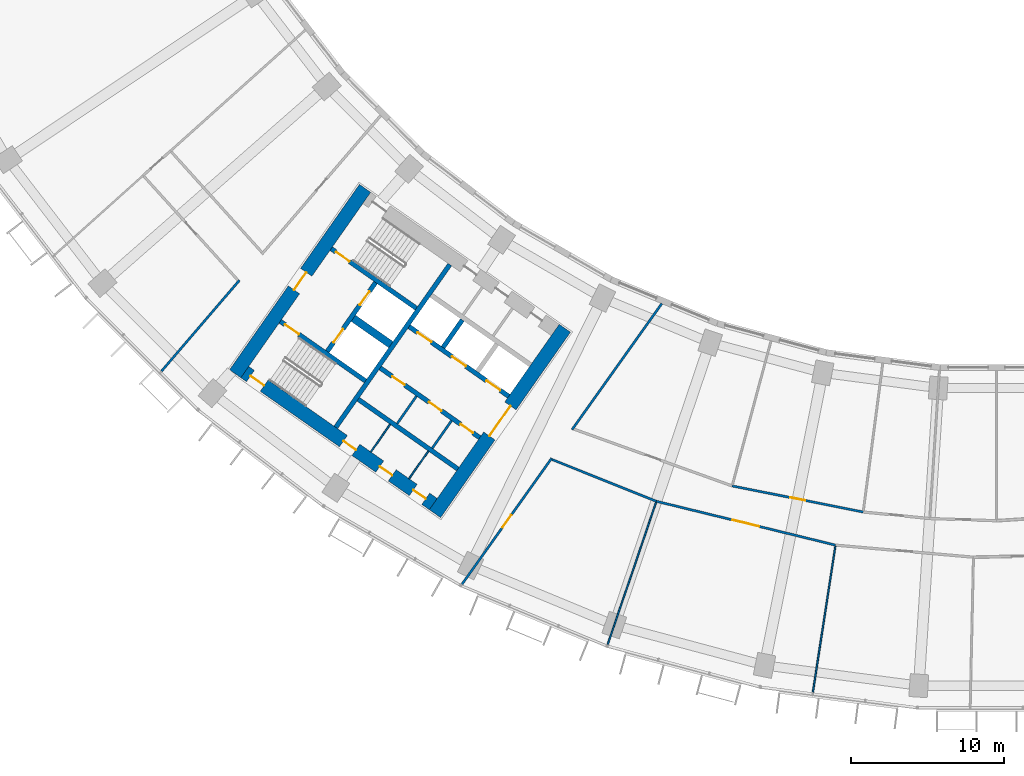
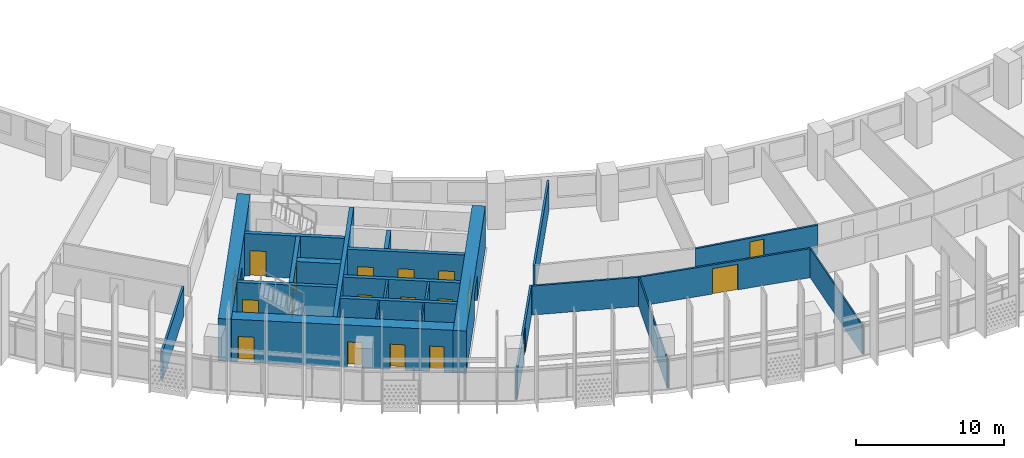
# One storey, part 3 of 30: 24 walls, 19 doors, 19 openings.
"""IFC4 building model written with IfcOpenShell, lengths in metres."""

from ifc_helpers import new_model, si_unit, direction, frame, frame_2d, origin, place, context, subcontext, project, spatial, rectangle, extrude, material, layer, layer_set, type_object, element, fill, save


model = new_model("IFC4")

# Units and contexts
model_context = context("Model", 3, precision=1e-05, world=origin(), true_north=direction((0.0, 1.0)))
body_context = subcontext(model_context, "Body", "Model", "MODEL_VIEW")
ifc_project = project(units=[si_unit("LENGTHUNIT", "METRE"), si_unit("AREAUNIT", "SQUARE_METRE"), si_unit("VOLUMEUNIT", "CUBIC_METRE"), si_unit("PLANEANGLEUNIT", "RADIAN"), si_unit("MASSUNIT", "GRAM", prefix="KILO")], contexts=[model_context])

# Site, building, storey
site_placement = place(None, origin())
site = spatial("IfcSite", under=ifc_project, at=site_placement, CompositionType="ELEMENT")
building_placement = place(site_placement, origin())
building = spatial("IfcBuilding", under=site, at=building_placement, Name="Qamariyya Broadcast Tower", CompositionType="ELEMENT")
storey_placement = place(building_placement, frame((0.0, 0.0, 125.300048828125)))
storey = spatial("IfcBuildingStorey", under=building, at=storey_placement, Name="L28", CompositionType="ELEMENT", Elevation=125.300048828125)

# Wall, opening, door
ifc_material_1 = material(Name="Concrete C70/85", Category="concrete")
ifc_layer_1 = layer(ifc_material_1, 0.89990234375)
ifc_layer_set_1 = layer_set([ifc_layer_1], Name="Core wall 900 mm Concrete C70/85")
wall_type_1 = type_object("IfcWallType", Name="Core wall 900 mm Concrete C70/85", PredefinedType="SHEAR", material=ifc_layer_set_1)
wall_1_placement = place(storey_placement, frame((-36.716796875, -66.3369140625, 0.0), z_axis=(0.0, 0.0, 1.0), x_axis=(0.573577477574, 0.819151315216, 0.0)))
wall_1 = element("IfcWall", 1, at=wall_1_placement, inside=storey, type_object=wall_type_1, Name="k-W-L28-WA", PredefinedType="SHEAR", context=body_context, shape_type="SweptSolid", body=[
    extrude(rectangle(XDim=14.800048828125, YDim=0.89990234375, at=frame_2d((7.39990234375, 0.0))), origin(), (0.0, 0.0, 1.0), 3.5),
])
opening_1_placement = place(wall_1_placement, frame((6.199951171875, 0.0, 0.0)))
opening_1 = element("IfcOpeningElement", 2, at=opening_1_placement, cuts=wall_1, Name="Opening KD3-W1", PredefinedType="OPENING", context=body_context, shape_type="SweptSolid", body=[
    extrude(rectangle(XDim=2.39990234375, YDim=2.10009765625, at=frame_2d((1.199951171875, 1.050048828125))), frame((0.0, 0.4599609375, 0.0), z_axis=(0.0, -1.0, 0.0), x_axis=(1.0, 0.0, 0.0)), (0.0, 0.0, 1.0), 0.919921875),
])
ifc_material_2 = material(Name="Steel fire-resisting door leaf", Category="steel")
door_type_1 = type_object("IfcDoorType", Name="Lift lobby door KD3", OperationType="DOUBLE_DOOR_SINGLE_SWING", PredefinedType="DOOR", material=ifc_material_2)
door_1_placement = place(opening_1_placement, origin())
door_1 = element("IfcDoor", 3, at=door_1_placement, inside=storey, type_object=door_type_1, Name="k-W-L28-WA-D1", OperationType="DOUBLE_DOOR_SINGLE_SWING", OverallHeight=2.10009765625, OverallWidth=2.39990234375, PredefinedType="DOOR", context=body_context, shape_type="SweptSolid", body=[
    extrude(rectangle(XDim=2.39990234375, YDim=2.10009765625, at=frame_2d((1.199951171875, 1.050048828125))), frame((0.0, 0.02490234375, 0.0), z_axis=(0.0, -1.0, 0.0), x_axis=(1.0, 0.0, 0.0)), (0.0, 0.0, 1.0), 0.050048828125),
])
fill(opening_1, door_1)

wall_2_placement = place(storey_placement, frame((-49.778564453125, -57.191162109375, 0.0), z_axis=(0.0, 0.0, 1.0), x_axis=(0.573577477574, 0.819151315216, 0.0)))
wall_2 = element("IfcWall", 4, at=wall_2_placement, inside=storey, type_object=wall_type_1, Name="k-W-L28-WH", PredefinedType="SHEAR", context=body_context, shape_type="SweptSolid", body=[
    extrude(rectangle(XDim=14.800048828125, YDim=0.89990234375, at=frame_2d((7.39990234375, 0.0))), origin(), (0.0, 0.0, 1.0), 3.5),
])
opening_2_placement = place(wall_2_placement, frame((6.699951171875, 0.0, 0.0)))
opening_2 = element("IfcOpeningElement", 5, at=opening_2_placement, cuts=wall_2, Name="Opening KD2-W1", PredefinedType="OPENING", context=body_context, shape_type="SweptSolid", body=[
    extrude(rectangle(XDim=1.39990234375, YDim=2.10009765625, at=frame_2d((0.699951171875, 1.050048828125))), frame((0.0, 0.4599609375, 0.0), z_axis=(0.0, -1.0, 0.0), x_axis=(1.0, 0.0, 0.0)), (0.0, 0.0, 1.0), 0.919921875),
])
door_type_2 = type_object("IfcDoorType", Name="Fire-fighting lobby door KD2", OperationType="DOUBLE_DOOR_SINGLE_SWING", PredefinedType="DOOR", material=ifc_material_2)
door_2_placement = place(opening_2_placement, origin())
door_2 = element("IfcDoor", 6, at=door_2_placement, inside=storey, type_object=door_type_2, Name="k-W-L28-WH-D16", OperationType="DOUBLE_DOOR_SINGLE_SWING", OverallHeight=2.10009765625, OverallWidth=1.39990234375, PredefinedType="DOOR", context=body_context, shape_type="SweptSolid", body=[
    extrude(rectangle(XDim=1.39990234375, YDim=2.10009765625, at=frame_2d((0.699951171875, 1.050048828125))), frame((0.0, 0.02490234375, 0.0), z_axis=(0.0, -1.0, 0.0), x_axis=(1.0, 0.0, 0.0)), (0.0, 0.0, 1.0), 0.050048828125),
])
fill(opening_2, door_2)

# Wall, openings, doors
wall_3_placement = place(storey_placement, frame((-36.827392578125, -65.710205078125, 0.0), z_axis=(0.0, 0.0, 1.0), x_axis=(-0.819153391756, 0.573574511963, 0.0)))
wall_3 = element("IfcWall", 7, at=wall_3_placement, inside=storey, type_object=wall_type_1, Name="k-W-L28-WO", PredefinedType="SHEAR", context=body_context, shape_type="SweptSolid", body=[
    extrude(rectangle(XDim=15.04541015625, YDim=0.89990234375, at=frame_2d((7.522705078125, 0.0))), origin(), (0.0, 0.0, 1.0), 3.5),
])
opening_3_placement = place(wall_3_placement, frame((0.60009765625, 0.0, 0.0)))
opening_3 = element("IfcOpeningElement", 8, at=opening_3_placement, cuts=wall_3, Name="Opening KD4-W1", PredefinedType="OPENING", context=body_context, shape_type="SweptSolid", body=[
    extrude(rectangle(XDim=1.0, YDim=2.10009765625, at=frame_2d((0.5, 1.050048828125))), frame((0.0, 0.4599609375, 0.0), z_axis=(0.0, -1.0, 0.0), x_axis=(1.0, 0.0, 0.0)), (0.0, 0.0, 1.0), 0.919921875),
])
opening_4_placement = place(wall_3_placement, frame((3.27490234375, 0.0, 0.0)))
opening_4 = element("IfcOpeningElement", 9, at=opening_4_placement, cuts=wall_3, Name="Opening KD4-W2", PredefinedType="OPENING", context=body_context, shape_type="SweptSolid", body=[
    extrude(rectangle(XDim=1.0, YDim=2.10009765625, at=frame_2d((0.5, 1.050048828125))), frame((0.0, 0.4599609375, 0.0), z_axis=(0.0, -1.0, 0.0), x_axis=(1.0, 0.0, 0.0)), (0.0, 0.0, 1.0), 0.919921875),
])
opening_5_placement = place(wall_3_placement, frame((6.175048828125, 0.0, 0.0)))
opening_5 = element("IfcOpeningElement", 10, at=opening_5_placement, cuts=wall_3, Name="Opening KD4-W3", PredefinedType="OPENING", context=body_context, shape_type="SweptSolid", body=[
    extrude(rectangle(XDim=1.0, YDim=2.10009765625, at=frame_2d((0.5, 1.050048828125))), frame((0.0, 0.4599609375, 0.0), z_axis=(0.0, -1.0, 0.0), x_axis=(1.0, 0.0, 0.0)), (0.0, 0.0, 1.0), 0.919921875),
])
opening_6_placement = place(wall_3_placement, frame((13.495361328125, 0.0, 0.0)))
opening_6 = element("IfcOpeningElement", 11, at=opening_6_placement, cuts=wall_3, Name="Opening KD1-W3", PredefinedType="OPENING", context=body_context, shape_type="SweptSolid", body=[
    extrude(rectangle(XDim=1.10009765625, YDim=2.10009765625, at=frame_2d((0.550048828125, 1.050048828125))), frame((0.0, 0.4599609375, 0.0), z_axis=(0.0, -1.0, 0.0), x_axis=(1.0, 0.0, 0.0)), (0.0, 0.0, 1.0), 0.919921875),
])
door_type_3 = type_object("IfcDoorType", Name="Riser and plant door KD4", OperationType="SINGLE_SWING_LEFT", PredefinedType="DOOR", material=ifc_material_2)
door_3_placement = place(opening_3_placement, origin())
door_3 = element("IfcDoor", 12, at=door_3_placement, inside=storey, type_object=door_type_3, Name="k-W-L28-WO-D11", OperationType="SINGLE_SWING_RIGHT", OverallHeight=2.10009765625, OverallWidth=1.0, PredefinedType="DOOR", context=body_context, shape_type="SweptSolid", body=[
    extrude(rectangle(XDim=1.0, YDim=2.10009765625, at=frame_2d((0.5, 1.050048828125))), frame((0.0, 0.02490234375, 0.0), z_axis=(0.0, -1.0, 0.0), x_axis=(1.0, 0.0, 0.0)), (0.0, 0.0, 1.0), 0.050048828125),
])
fill(opening_3, door_3)
door_4_placement = place(opening_4_placement, origin())
door_4 = element("IfcDoor", 13, at=door_4_placement, inside=storey, type_object=door_type_3, Name="k-W-L28-WO-D12", OperationType="SINGLE_SWING_LEFT", OverallHeight=2.10009765625, OverallWidth=1.0, PredefinedType="DOOR", context=body_context, shape_type="SweptSolid", body=[
    extrude(rectangle(XDim=1.0, YDim=2.10009765625, at=frame_2d((0.5, 1.050048828125))), frame((0.0, 0.02490234375, 0.0), z_axis=(0.0, -1.0, 0.0), x_axis=(1.0, 0.0, 0.0)), (0.0, 0.0, 1.0), 0.050048828125),
])
fill(opening_4, door_4)
door_5_placement = place(opening_5_placement, origin())
door_5 = element("IfcDoor", 14, at=door_5_placement, inside=storey, type_object=door_type_3, Name="k-W-L28-WO-D13", OperationType="SINGLE_SWING_RIGHT", OverallHeight=2.10009765625, OverallWidth=1.0, PredefinedType="DOOR", context=body_context, shape_type="SweptSolid", body=[
    extrude(rectangle(XDim=1.0, YDim=2.10009765625, at=frame_2d((0.5, 1.050048828125))), frame((0.0, 0.02490234375, 0.0), z_axis=(0.0, -1.0, 0.0), x_axis=(1.0, 0.0, 0.0)), (0.0, 0.0, 1.0), 0.050048828125),
])
fill(opening_5, door_5)
door_type_4 = type_object("IfcDoorType", Name="Stair door KD1", OperationType="SINGLE_SWING_LEFT", PredefinedType="DOOR", material=ifc_material_2)
door_6_placement = place(opening_6_placement, origin())
door_6 = element("IfcDoor", 15, at=door_6_placement, inside=storey, type_object=door_type_4, Name="k-W-L28-WO-D19", OperationType="SINGLE_SWING_LEFT", OverallHeight=2.10009765625, OverallWidth=1.10009765625, PredefinedType="DOOR", context=body_context, shape_type="SweptSolid", body=[
    extrude(rectangle(XDim=1.10009765625, YDim=2.10009765625, at=frame_2d((0.550048828125, 1.050048828125))), frame((0.0, 0.02490234375, 0.0), z_axis=(0.0, -1.0, 0.0), x_axis=(1.0, 0.0, 0.0)), (0.0, 0.0, 1.0), 0.050048828125),
])
fill(opening_6, door_6)

# Wall
ifc_material_3 = material(Name="Gypsum board partition")
ifc_layer_2 = layer(ifc_material_3, 0.14990234375)
ifc_layer_set_2 = layer_set([ifc_layer_2], Name="Corridor partition 150 EI 60")
wall_type_2 = type_object("IfcWallType", Name="Corridor partition 150 EI 60", PredefinedType="PARTITIONING", material=ifc_layer_set_2)
wall_4_placement = place(storey_placement, frame((-49.498779296875, -51.074951171875, 0.0), z_axis=(0.0, 0.0, 1.0), x_axis=(-0.65099144956, -0.759085062823, 0.0)))
element("IfcWall", 16, at=wall_4_placement, inside=storey, type_object=wall_type_2, Name="Partition L28-005", PredefinedType="PARTITIONING", context=body_context, shape_type="SweptSolid", body=[
    extrude(rectangle(XDim=7.83740234375, YDim=0.14990234375, at=frame_2d((3.918701171875, 0.0))), origin(), (0.0, 0.0, 1.0), 2.39990234375),
])

# Wall, opening, door
wall_5_placement = place(storey_placement, frame((-29.083984375, -62.710205078125, 0.0), z_axis=(0.0, 0.0, 1.0), x_axis=(-0.580031092611, -0.814594335608, 0.0)))
wall_5 = element("IfcWall", 17, at=wall_5_placement, inside=storey, type_object=wall_type_2, Name="Partition L28-008", PredefinedType="PARTITIONING", context=body_context, shape_type="SweptSolid", body=[
    extrude(rectangle(XDim=10.126220703125, YDim=0.14990234375, at=frame_2d((5.06298828125, 0.0))), origin(), (0.0, 0.0, 1.0), 2.39990234375),
])
opening_7_placement = place(wall_5_placement, frame((4.563232421875, 0.0, 0.0)))
opening_7 = element("IfcOpeningElement", 18, at=opening_7_placement, cuts=wall_5, Name="Opening L28-D01", PredefinedType="OPENING", context=body_context, shape_type="SweptSolid", body=[
    extrude(rectangle(XDim=1.0, YDim=2.10009765625, at=frame_2d((0.5, 1.050048828125))), frame((0.0, 0.0849609375, 0.0), z_axis=(0.0, -1.0, 0.0), x_axis=(1.0, 0.0, 0.0)), (0.0, 0.0, 1.0), 0.169921875),
])
ifc_material_4 = material(Name="Timber fire door leaf", Category="wood")
door_type_5 = type_object("IfcDoorType", Name="Fire door 1000 x 2100 FD60", OperationType="NOTDEFINED", PredefinedType="DOOR", material=ifc_material_4)
door_7_placement = place(opening_7_placement, origin())
door_7 = element("IfcDoor", 19, at=door_7_placement, inside=storey, type_object=door_type_5, Name="Door L28-D01", OperationType="SINGLE_SWING_RIGHT", OverallHeight=2.10009765625, OverallWidth=1.0, PredefinedType="DOOR", context=body_context, shape_type="SweptSolid", body=[
    extrude(rectangle(XDim=1.0, YDim=2.10009765625, at=frame_2d((0.5, 1.050048828125))), frame((0.0, 0.02490234375, 0.0), z_axis=(0.0, -1.0, 0.0), x_axis=(1.0, 0.0, 0.0)), (0.0, 0.0, 1.0), 0.050048828125),
])
fill(opening_7, door_7)

# Wall
wall_6_placement = place(storey_placement, frame((-29.057861328125, -62.799072265625, 0.0), z_axis=(0.0, 0.0, 1.0), x_axis=(0.92834358791, -0.371723261025, 0.0)))
element("IfcWall", 20, at=wall_6_placement, inside=storey, type_object=wall_type_2, Name="Partition L28-009", PredefinedType="PARTITIONING", context=body_context, shape_type="SweptSolid", body=[
    extrude(rectangle(XDim=7.340087890625, YDim=0.14990234375, at=frame_2d((3.669921875, 0.0))), origin(), (0.0, 0.0, 1.0), 2.39990234375),
])

# Wall, opening, door
wall_7_placement = place(storey_placement, frame((-10.52880859375, -68.394287109375, 0.0), z_axis=(0.0, 0.0, 1.0), x_axis=(-0.971340247552, 0.23769333917, 0.0)))
wall_7 = element("IfcWall", 21, at=wall_7_placement, inside=storey, type_object=wall_type_2, Name="Partition L28-012", PredefinedType="PARTITIONING", context=body_context, shape_type="SweptSolid", body=[
    extrude(rectangle(XDim=12.060546875, YDim=0.14990234375, at=frame_2d((6.0302734375, 0.0))), origin(), (0.0, 0.0, 1.0), 2.39990234375),
])
opening_8_placement = place(wall_7_placement, frame((5.130126953125, 0.0, 0.0)))
opening_8 = element("IfcOpeningElement", 22, at=opening_8_placement, cuts=wall_7, Name="Opening L28-D02", PredefinedType="OPENING", context=body_context, shape_type="SweptSolid", body=[
    extrude(rectangle(XDim=1.800048828125, YDim=2.10009765625, at=frame_2d((0.89990234375, 1.050048828125))), frame((0.0, 0.0849609375, 0.0), z_axis=(0.0, -1.0, 0.0), x_axis=(1.0, 0.0, 0.0)), (0.0, 0.0, 1.0), 0.169921875),
])
door_type_6 = type_object("IfcDoorType", Name="Double fire door 1800 x 2100 FD60", OperationType="NOTDEFINED", PredefinedType="DOOR", material=ifc_material_4)
door_8_placement = place(opening_8_placement, origin())
door_8 = element("IfcDoor", 23, at=door_8_placement, inside=storey, type_object=door_type_6, Name="Door L28-D02", OperationType="DOUBLE_DOOR_SINGLE_SWING", OverallHeight=2.10009765625, OverallWidth=1.800048828125, PredefinedType="DOOR", context=body_context, shape_type="SweptSolid", body=[
    extrude(rectangle(XDim=1.800048828125, YDim=2.10009765625, at=frame_2d((0.89990234375, 1.050048828125))), frame((0.0, 0.02490234375, 0.0), z_axis=(0.0, -1.0, 0.0), x_axis=(1.0, 0.0, 0.0)), (0.0, 0.0, 1.0), 0.050048828125),
])
fill(opening_8, door_8)

# Wall
wall_8_placement = place(storey_placement, frame((-21.8837890625, -52.59765625, 0.0), z_axis=(0.0, 0.0, 1.0), x_axis=(-0.580016763963, -0.814604538118, 0.0)))
element("IfcWall", 24, at=wall_8_placement, inside=storey, type_object=wall_type_2, Name="Partition L28-013", PredefinedType="PARTITIONING", context=body_context, shape_type="SweptSolid", body=[
    extrude(rectangle(XDim=10.12109375, YDim=0.14990234375, at=frame_2d((5.060546875, 0.0))), origin(), (0.0, 0.0, 1.0), 2.39990234375),
])

# Wall, opening, door
wall_9_placement = place(storey_placement, frame((-17.2890625, -64.52392578125, 0.0), z_axis=(0.0, 0.0, 1.0), x_axis=(0.980786466832, -0.195084357342, 0.0)))
wall_9 = element("IfcWall", 25, at=wall_9_placement, inside=storey, type_object=wall_type_2, Name="Partition L28-014", PredefinedType="PARTITIONING", context=body_context, shape_type="SweptSolid", body=[
    extrude(rectangle(XDim=8.73779296875, YDim=0.14990234375, at=frame_2d((4.368896484375, 0.0))), origin(), (0.0, 0.0, 1.0), 2.39990234375),
])
opening_9_placement = place(wall_9_placement, frame((3.868896484375, 0.0, 0.0)))
opening_9 = element("IfcOpeningElement", 26, at=opening_9_placement, cuts=wall_9, Name="Opening L28-D10", PredefinedType="OPENING", context=body_context, shape_type="SweptSolid", body=[
    extrude(rectangle(XDim=1.0, YDim=2.10009765625, at=frame_2d((0.5, 1.050048828125))), frame((0.0, 0.0849609375, 0.0), z_axis=(0.0, -1.0, 0.0), x_axis=(1.0, 0.0, 0.0)), (0.0, 0.0, 1.0), 0.169921875),
])
door_9_placement = place(opening_9_placement, origin())
door_9 = element("IfcDoor", 27, at=door_9_placement, inside=storey, type_object=door_type_5, Name="Door L28-D10", OperationType="SINGLE_SWING_RIGHT", OverallHeight=2.10009765625, OverallWidth=1.0, PredefinedType="DOOR", context=body_context, shape_type="SweptSolid", body=[
    extrude(rectangle(XDim=1.0, YDim=2.10009765625, at=frame_2d((0.5, 1.050048828125))), frame((0.0, 0.02490234375, 0.0), z_axis=(0.0, -1.0, 0.0), x_axis=(1.0, 0.0, 0.0)), (0.0, 0.0, 1.0), 0.050048828125),
])
fill(opening_9, door_9)

# Walls
ifc_material_5 = material(Name="Concrete C60/75", Category="concrete")
ifc_layer_3 = layer(ifc_material_5, 0.5)
ifc_layer_set_3 = layer_set([ifc_layer_3], Name="Fire-fighting lobby divider wall 500 mm Concrete C60/75")
wall_type_3 = type_object("IfcWallType", Name="Fire-fighting lobby divider wall 500 mm Concrete C60/75", PredefinedType="SOLIDWALL", material=ifc_layer_set_3)
wall_10_placement = place(storey_placement, frame((-39.59912109375, -55.28515625, 0.0), z_axis=(0.0, 0.0, 1.0), x_axis=(-0.819136323161, 0.573598887793, 0.0)))
element("IfcWall", 28, at=wall_10_placement, inside=storey, type_object=wall_type_3, Name="k-W-L28-FD", PredefinedType="SOLIDWALL", context=body_context, shape_type="SweptSolid", body=[
    extrude(rectangle(XDim=2.999755859375, YDim=0.5, at=frame_2d((1.5, 0.0))), origin(), (0.0, 0.0, 1.0), 3.5),
])
ifc_material_6 = material(Name="Gypsum board partition on steel studs", Category="steel")
ifc_layer_4 = layer(ifc_material_6, 0.14990234375)
ifc_layer_set_4 = layer_set([ifc_layer_4], Name="Gypsum board partition 150 mm")
wall_type_4 = type_object("IfcWallType", Name="Gypsum board partition 150 mm", PredefinedType="PARTITIONING", material=ifc_layer_set_4)
for number, where, z_axis, x_axis, name in (
    (29, (-35.634521484375, -60.25830078125, 0.0), (0.0, 0.0, 1.0), (-0.573581496053, -0.819148501424, 0.0), "k-W-L28-SC215"),
    (30, (-37.92822265625, -58.65234375, 0.0), (0.0, 0.0, 1.0), (-0.573581496053, -0.819148501424, 0.0), "k-W-L28-SC495"),
):
    element("IfcWall", number, at=place(storey_placement, frame(where, z_axis=z_axis, x_axis=x_axis)), inside=storey, type_object=wall_type_4, Name=name, PredefinedType="PARTITIONING", context=body_context, shape_type="SweptSolid", body=[
        extrude(rectangle(XDim=2.2001953125, YDim=0.14990234375, at=frame_2d((1.10009765625, 0.0))), origin(), (0.0, 0.0, 1.0), 3.5),
    ])
ifc_layer_5 = layer(ifc_material_5, 0.300048828125)
ifc_layer_set_5 = layer_set([ifc_layer_5], Name="Lift shaft wall 300 mm Concrete C60/75")
wall_type_5 = type_object("IfcWallType", Name="Lift shaft wall 300 mm Concrete C60/75", PredefinedType="SOLIDWALL", material=ifc_layer_set_5)
wall_11_placement = place(storey_placement, frame((-43.204345703125, -60.69580078125, 0.0), z_axis=(0.0, 0.0, 1.0), x_axis=(0.573571992966, 0.819155155563, 0.0)))
element("IfcWall", 31, at=wall_11_placement, inside=storey, type_object=wall_type_5, Name="k-W-L28-WL", PredefinedType="SOLIDWALL", context=body_context, shape_type="SweptSolid", body=[
    extrude(rectangle(XDim=13.000244140625, YDim=0.300048828125, at=frame_2d((6.5, 0.0))), origin(), (0.0, 0.0, 1.0), 3.5),
])

# Wall, openings, doors
wall_12_placement = place(storey_placement, frame((-31.89453125, -58.66552734375, 0.0), z_axis=(0.0, 0.0, 1.0), x_axis=(-0.819166993208, 0.573555086491, 0.0)))
wall_12 = element("IfcWall", 32, at=wall_12_placement, inside=storey, type_object=wall_type_5, Name="k-W-L28-NF0", PredefinedType="SOLIDWALL", context=body_context, shape_type="SweptSolid", body=[
    extrude(rectangle(XDim=7.9501953125, YDim=0.300048828125, at=frame_2d((3.97509765625, 0.0))), origin(), (0.0, 0.0, 1.0), 3.5),
])
opening_10_placement = place(wall_12_placement, frame((0.675048828125, 0.0, 0.0)))
opening_10 = element("IfcOpeningElement", 33, at=opening_10_placement, cuts=wall_12, Name="Opening LD", PredefinedType="OPENING", context=body_context, shape_type="SweptSolid", body=[
    extrude(rectangle(XDim=1.10009765625, YDim=2.10009765625, at=frame_2d((0.550048828125, 1.050048828125))), frame((0.0, 0.159912109375, 0.0), z_axis=(0.0, -1.0, 0.0), x_axis=(1.0, 0.0, 0.0)), (0.0, 0.0, 1.0), 0.320068359375),
])
opening_11_placement = place(wall_12_placement, frame((3.425048828125, 0.0, 0.0)))
opening_11 = element("IfcOpeningElement", 34, at=opening_11_placement, cuts=wall_12, Name="Opening LD", PredefinedType="OPENING", context=body_context, shape_type="SweptSolid", body=[
    extrude(rectangle(XDim=1.10009765625, YDim=2.10009765625, at=frame_2d((0.550048828125, 1.050048828125))), frame((0.0, 0.159912109375, 0.0), z_axis=(0.0, -1.0, 0.0), x_axis=(1.0, 0.0, 0.0)), (0.0, 0.0, 1.0), 0.320068359375),
])
opening_12_placement = place(wall_12_placement, frame((6.175048828125, 0.0, 0.0)))
opening_12 = element("IfcOpeningElement", 35, at=opening_12_placement, cuts=wall_12, Name="Opening LD", PredefinedType="OPENING", context=body_context, shape_type="SweptSolid", body=[
    extrude(rectangle(XDim=1.10009765625, YDim=2.10009765625, at=frame_2d((0.550048828125, 1.050048828125))), frame((0.0, 0.159912109375, 0.0), z_axis=(0.0, -1.0, 0.0), x_axis=(1.0, 0.0, 0.0)), (0.0, 0.0, 1.0), 0.320068359375),
])
door_type_7 = type_object("IfcDoorType", Name="Lift landing door LD", OperationType="DOUBLE_DOOR_SLIDING", PredefinedType="DOOR", material=ifc_material_2)
door_10_placement = place(opening_10_placement, origin())
door_10 = element("IfcDoor", 36, at=door_10_placement, inside=storey, type_object=door_type_7, Name="k-W-L28-NF0-D2", OperationType="DOUBLE_DOOR_SLIDING", OverallHeight=2.10009765625, OverallWidth=1.10009765625, PredefinedType="DOOR", context=body_context, shape_type="SweptSolid", body=[
    extrude(rectangle(XDim=1.10009765625, YDim=2.10009765625, at=frame_2d((0.550048828125, 1.050048828125))), frame((0.0, 0.02490234375, 0.0), z_axis=(0.0, -1.0, 0.0), x_axis=(1.0, 0.0, 0.0)), (0.0, 0.0, 1.0), 0.050048828125),
])
fill(opening_10, door_10)
door_11_placement = place(opening_11_placement, origin())
door_11 = element("IfcDoor", 37, at=door_11_placement, inside=storey, type_object=door_type_7, Name="k-W-L28-NF0-D3", OperationType="DOUBLE_DOOR_SLIDING", OverallHeight=2.10009765625, OverallWidth=1.10009765625, PredefinedType="DOOR", context=body_context, shape_type="SweptSolid", body=[
    extrude(rectangle(XDim=1.10009765625, YDim=2.10009765625, at=frame_2d((0.550048828125, 1.050048828125))), frame((0.0, 0.02490234375, 0.0), z_axis=(0.0, -1.0, 0.0), x_axis=(1.0, 0.0, 0.0)), (0.0, 0.0, 1.0), 0.050048828125),
])
fill(opening_11, door_11)
door_12_placement = place(opening_12_placement, origin())
door_12 = element("IfcDoor", 38, at=door_12_placement, inside=storey, type_object=door_type_7, Name="k-W-L28-NF0-D4", OperationType="DOUBLE_DOOR_SLIDING", OverallHeight=2.10009765625, OverallWidth=1.10009765625, PredefinedType="DOOR", context=body_context, shape_type="SweptSolid", body=[
    extrude(rectangle(XDim=1.10009765625, YDim=2.10009765625, at=frame_2d((0.550048828125, 1.050048828125))), frame((0.0, 0.02490234375, 0.0), z_axis=(0.0, -1.0, 0.0), x_axis=(1.0, 0.0, 0.0)), (0.0, 0.0, 1.0), 0.050048828125),
])
fill(opening_12, door_12)

# Wall
wall_13_placement = place(storey_placement, frame((-36.19091796875, -55.47412109375, 0.0), z_axis=(0.0, 0.0, 1.0), x_axis=(0.573507030513, 0.819200638399, 0.0)))
element("IfcWall", 39, at=wall_13_placement, inside=storey, type_object=wall_type_5, Name="k-W-L28-ND1", PredefinedType="SOLIDWALL", context=body_context, shape_type="SweptSolid", body=[
    extrude(rectangle(XDim=2.199951171875, YDim=0.300048828125, at=frame_2d((1.10009765625, 0.0))), origin(), (0.0, 0.0, 1.0), 3.5),
])

# Wall, openings, doors
wall_14_placement = place(storey_placement, frame((-33.787353515625, -61.368896484375, 0.0), z_axis=(0.0, 0.0, 1.0), x_axis=(-0.819152564888, 0.573575692858, 0.0)))
wall_14 = element("IfcWall", 40, at=wall_14_placement, inside=storey, type_object=wall_type_5, Name="k-W-L28-SF0", PredefinedType="SOLIDWALL", context=body_context, shape_type="SweptSolid", body=[
    extrude(rectangle(XDim=7.9501953125, YDim=0.300048828125, at=frame_2d((3.97509765625, 0.0))), origin(), (0.0, 0.0, 1.0), 3.5),
])
opening_13_placement = place(wall_14_placement, frame((0.53759765625, 0.0, 0.0)))
opening_13 = element("IfcOpeningElement", 41, at=opening_13_placement, cuts=wall_14, Name="Opening KD6-W1", PredefinedType="OPENING", context=body_context, shape_type="SweptSolid", body=[
    extrude(rectangle(XDim=1.0, YDim=2.10009765625, at=frame_2d((0.5, 1.050048828125))), frame((0.0, 0.159912109375, 0.0), z_axis=(0.0, -1.0, 0.0), x_axis=(1.0, 0.0, 0.0)), (0.0, 0.0, 1.0), 0.320068359375),
])
opening_14_placement = place(wall_14_placement, frame((3.050048828125, 0.0, 0.0)))
opening_14 = element("IfcOpeningElement", 42, at=opening_14_placement, cuts=wall_14, Name="Opening KD6-W2", PredefinedType="OPENING", context=body_context, shape_type="SweptSolid", body=[
    extrude(rectangle(XDim=1.0, YDim=2.10009765625, at=frame_2d((0.5, 1.050048828125))), frame((0.0, 0.159912109375, 0.0), z_axis=(0.0, -1.0, 0.0), x_axis=(1.0, 0.0, 0.0)), (0.0, 0.0, 1.0), 0.320068359375),
])
opening_15_placement = place(wall_14_placement, frame((5.987548828125, 0.0, 0.0)))
opening_15 = element("IfcOpeningElement", 43, at=opening_15_placement, cuts=wall_14, Name="Opening KD6-W3", PredefinedType="OPENING", context=body_context, shape_type="SweptSolid", body=[
    extrude(rectangle(XDim=1.0, YDim=2.10009765625, at=frame_2d((0.5, 1.050048828125))), frame((0.0, 0.159912109375, 0.0), z_axis=(0.0, -1.0, 0.0), x_axis=(1.0, 0.0, 0.0)), (0.0, 0.0, 1.0), 0.320068359375),
])
door_type_8 = type_object("IfcDoorType", Name="Core room door KD6", OperationType="SINGLE_SWING_LEFT", PredefinedType="DOOR", material=ifc_material_2)
door_13_placement = place(opening_13_placement, origin())
door_13 = element("IfcDoor", 44, at=door_13_placement, inside=storey, type_object=door_type_8, Name="k-W-L28-SF0-D5", OperationType="SINGLE_SWING_RIGHT", OverallHeight=2.10009765625, OverallWidth=1.0, PredefinedType="DOOR", context=body_context, shape_type="SweptSolid", body=[
    extrude(rectangle(XDim=1.0, YDim=2.10009765625, at=frame_2d((0.5, 1.050048828125))), frame((0.0, 0.02490234375, 0.0), z_axis=(0.0, -1.0, 0.0), x_axis=(1.0, 0.0, 0.0)), (0.0, 0.0, 1.0), 0.050048828125),
])
fill(opening_13, door_13)
door_14_placement = place(opening_14_placement, origin())
door_14 = element("IfcDoor", 45, at=door_14_placement, inside=storey, type_object=door_type_8, Name="k-W-L28-SF0-D6", OperationType="SINGLE_SWING_LEFT", OverallHeight=2.10009765625, OverallWidth=1.0, PredefinedType="DOOR", context=body_context, shape_type="SweptSolid", body=[
    extrude(rectangle(XDim=1.0, YDim=2.10009765625, at=frame_2d((0.5, 1.050048828125))), frame((0.0, 0.02490234375, 0.0), z_axis=(0.0, -1.0, 0.0), x_axis=(1.0, 0.0, 0.0)), (0.0, 0.0, 1.0), 0.050048828125),
])
fill(opening_14, door_14)
door_15_placement = place(opening_15_placement, origin())
door_15 = element("IfcDoor", 46, at=door_15_placement, inside=storey, type_object=door_type_8, Name="k-W-L28-SF0-D7", OperationType="SINGLE_SWING_RIGHT", OverallHeight=2.10009765625, OverallWidth=1.0, PredefinedType="DOOR", context=body_context, shape_type="SweptSolid", body=[
    extrude(rectangle(XDim=1.0, YDim=2.10009765625, at=frame_2d((0.5, 1.050048828125))), frame((0.0, 0.02490234375, 0.0), z_axis=(0.0, -1.0, 0.0), x_axis=(1.0, 0.0, 0.0)), (0.0, 0.0, 1.0), 0.050048828125),
])
fill(opening_15, door_15)

# Wall
wall_15_placement = place(storey_placement, frame((-35.22119140625, -63.41650390625, 0.0), z_axis=(0.0, 0.0, 1.0), x_axis=(-0.819166993208, 0.573555086491, 0.0)))
element("IfcWall", 47, at=wall_15_placement, inside=storey, type_object=wall_type_5, Name="k-W-L28-SB0", PredefinedType="SOLIDWALL", context=body_context, shape_type="SweptSolid", body=[
    extrude(rectangle(XDim=7.9501953125, YDim=0.300048828125, at=frame_2d((3.97509765625, 0.0))), origin(), (0.0, 0.0, 1.0), 3.5),
])

# Wall, opening, door
wall_16_placement = place(storey_placement, frame((-37.935546875, -52.90966796875, 0.0), z_axis=(0.0, 0.0, 1.0), x_axis=(-0.819147518138, 0.57358290031, 0.0)))
wall_16 = element("IfcWall", 48, at=wall_16_placement, inside=storey, type_object=wall_type_5, Name="k-W-L28-NW", PredefinedType="SOLIDWALL", context=body_context, shape_type="SweptSolid", body=[
    extrude(rectangle(XDim=6.79541015625, YDim=0.300048828125, at=frame_2d((3.397705078125, 0.0))), origin(), (0.0, 0.0, 1.0), 3.5),
])
opening_16_placement = place(wall_16_placement, frame((5.3203125, 0.0, 0.0)))
opening_16 = element("IfcOpeningElement", 49, at=opening_16_placement, cuts=wall_16, Name="Opening KD1-W2", PredefinedType="OPENING", context=body_context, shape_type="SweptSolid", body=[
    extrude(rectangle(XDim=1.10009765625, YDim=2.10009765625, at=frame_2d((0.550048828125, 1.050048828125))), frame((0.0, 0.159912109375, 0.0), z_axis=(0.0, -1.0, 0.0), x_axis=(1.0, 0.0, 0.0)), (0.0, 0.0, 1.0), 0.320068359375),
])
door_16_placement = place(opening_16_placement, origin())
door_16 = element("IfcDoor", 50, at=door_16_placement, inside=storey, type_object=door_type_4, Name="k-W-L28-NW-D18", OperationType="SINGLE_SWING_LEFT", OverallHeight=2.10009765625, OverallWidth=1.10009765625, PredefinedType="DOOR", context=body_context, shape_type="SweptSolid", body=[
    extrude(rectangle(XDim=1.10009765625, YDim=2.10009765625, at=frame_2d((0.550048828125, 1.050048828125))), frame((0.0, 0.02490234375, 0.0), z_axis=(0.0, -1.0, 0.0), x_axis=(1.0, 0.0, 0.0)), (0.0, 0.0, 1.0), 0.050048828125),
])
fill(opening_16, door_16)

wall_17_placement = place(storey_placement, frame((-41.262451171875, -57.66064453125, 0.0), z_axis=(0.0, 0.0, 1.0), x_axis=(-0.819164398642, 0.573558792102, 0.0)))
wall_17 = element("IfcWall", 51, at=wall_17_placement, inside=storey, type_object=wall_type_5, Name="k-W-L28-SW", PredefinedType="SOLIDWALL", context=body_context, shape_type="SweptSolid", body=[
    extrude(rectangle(XDim=6.795166015625, YDim=0.300048828125, at=frame_2d((3.3974609375, 0.0))), origin(), (0.0, 0.0, 1.0), 3.5),
])
opening_17_placement = place(wall_17_placement, frame((5.3203125, 0.0, 0.0)))
opening_17 = element("IfcOpeningElement", 52, at=opening_17_placement, cuts=wall_17, Name="Opening KD1-W4", PredefinedType="OPENING", context=body_context, shape_type="SweptSolid", body=[
    extrude(rectangle(XDim=1.10009765625, YDim=2.10009765625, at=frame_2d((0.550048828125, 1.050048828125))), frame((0.0, 0.159912109375, 0.0), z_axis=(0.0, -1.0, 0.0), x_axis=(1.0, 0.0, 0.0)), (0.0, 0.0, 1.0), 0.320068359375),
])
door_17_placement = place(opening_17_placement, origin())
door_17 = element("IfcDoor", 53, at=door_17_placement, inside=storey, type_object=door_type_4, Name="k-W-L28-SW-D20", OperationType="SINGLE_SWING_LEFT", OverallHeight=2.10009765625, OverallWidth=1.10009765625, PredefinedType="DOOR", context=body_context, shape_type="SweptSolid", body=[
    extrude(rectangle(XDim=1.10009765625, YDim=2.10009765625, at=frame_2d((0.550048828125, 1.050048828125))), frame((0.0, 0.02490234375, 0.0), z_axis=(0.0, -1.0, 0.0), x_axis=(1.0, 0.0, 0.0)), (0.0, 0.0, 1.0), 0.050048828125),
])
fill(opening_17, door_17)

# Wall, openings, doors
wall_18_placement = place(storey_placement, frame((-43.756591796875, -55.731201171875, 0.0), z_axis=(0.0, 0.0, 1.0), x_axis=(0.573536818435, 0.819179783625, 0.0)))
wall_18 = element("IfcWall", 54, at=wall_18_placement, inside=storey, type_object=wall_type_5, Name="k-W-L28-FF", PredefinedType="SOLIDWALL", context=body_context, shape_type="SweptSolid", body=[
    extrude(rectangle(XDim=5.500244140625, YDim=0.300048828125, at=frame_2d((2.75, 0.0))), origin(), (0.0, 0.0, 1.0), 3.5),
])
opening_18_placement = place(wall_18_placement, frame((0.699951171875, 0.0, 0.0)))
opening_18 = element("IfcOpeningElement", 55, at=opening_18_placement, cuts=wall_18, Name="Opening LD", PredefinedType="OPENING", context=body_context, shape_type="SweptSolid", body=[
    extrude(rectangle(XDim=1.10009765625, YDim=2.10009765625, at=frame_2d((0.550048828125, 1.050048828125))), frame((0.0, 0.159912109375, 0.0), z_axis=(0.0, -1.0, 0.0), x_axis=(1.0, 0.0, 0.0)), (0.0, 0.0, 1.0), 0.320068359375),
])
opening_19_placement = place(wall_18_placement, frame((3.699951171875, 0.0, 0.0)))
opening_19 = element("IfcOpeningElement", 56, at=opening_19_placement, cuts=wall_18, Name="Opening LD", PredefinedType="OPENING", context=body_context, shape_type="SweptSolid", body=[
    extrude(rectangle(XDim=1.10009765625, YDim=2.10009765625, at=frame_2d((0.550048828125, 1.050048828125))), frame((0.0, 0.159912109375, 0.0), z_axis=(0.0, -1.0, 0.0), x_axis=(1.0, 0.0, 0.0)), (0.0, 0.0, 1.0), 0.320068359375),
])
door_18_placement = place(opening_18_placement, origin())
door_18 = element("IfcDoor", 57, at=door_18_placement, inside=storey, type_object=door_type_7, Name="k-W-L28-FF-D14", OperationType="DOUBLE_DOOR_SLIDING", OverallHeight=2.10009765625, OverallWidth=1.10009765625, PredefinedType="DOOR", context=body_context, shape_type="SweptSolid", body=[
    extrude(rectangle(XDim=1.10009765625, YDim=2.10009765625, at=frame_2d((0.550048828125, 1.050048828125))), frame((0.0, 0.02490234375, 0.0), z_axis=(0.0, -1.0, 0.0), x_axis=(1.0, 0.0, 0.0)), (0.0, 0.0, 1.0), 0.050048828125),
])
fill(opening_18, door_18)
door_19_placement = place(opening_19_placement, origin())
door_19 = element("IfcDoor", 58, at=door_19_placement, inside=storey, type_object=door_type_7, Name="k-W-L28-FF-D15", OperationType="DOUBLE_DOOR_SLIDING", OverallHeight=2.10009765625, OverallWidth=1.10009765625, PredefinedType="DOOR", context=body_context, shape_type="SweptSolid", body=[
    extrude(rectangle(XDim=1.10009765625, YDim=2.10009765625, at=frame_2d((0.550048828125, 1.050048828125))), frame((0.0, 0.02490234375, 0.0), z_axis=(0.0, -1.0, 0.0), x_axis=(1.0, 0.0, 0.0)), (0.0, 0.0, 1.0), 0.050048828125),
])
fill(opening_19, door_19)

# Walls
ifc_layer_6 = layer(ifc_material_3, 0.10009765625)
ifc_layer_set_6 = layer_set([ifc_layer_6], Name="Partition 100")
wall_type_6 = type_object("IfcWallType", Name="Partition 100", PredefinedType="PARTITIONING", material=ifc_layer_set_6)
wall_19_placement = place(storey_placement, frame((-25.42578125, -74.902099609375, 0.0), z_axis=(0.0, 0.0, 1.0), x_axis=(0.3214264651, 0.94693454237, 0.0)))
element("IfcWall", 59, at=wall_19_placement, inside=storey, type_object=wall_type_6, Name="Partition L28-011", PredefinedType="PARTITIONING", context=body_context, shape_type="SweptSolid", body=[
    extrude(rectangle(XDim=9.82470703125, YDim=0.10009765625, at=frame_2d((4.912353515625, 0.0))), origin(), (0.0, 0.0, 1.0), 2.39990234375),
])
wall_20_placement = place(storey_placement, frame((-12.01220703125, -78.030029296875, 0.0), z_axis=(0.0, 0.0, 1.0), x_axis=(0.152150105958, 0.988357397532, 0.0)))
element("IfcWall", 60, at=wall_20_placement, inside=storey, type_object=wall_type_6, Name="Partition L28-016", PredefinedType="PARTITIONING", context=body_context, shape_type="SweptSolid", body=[
    extrude(rectangle(XDim=9.674072265625, YDim=0.10009765625, at=frame_2d((4.8369140625, 0.0))), origin(), (0.0, 0.0, 1.0), 2.39990234375),
])
ifc_material_7 = material(Name="Fire-rated gypsum shaft liner on steel studs", Category="steel")
ifc_layer_7 = layer(ifc_material_7, 0.10009765625)
ifc_layer_set_7 = layer_set([ifc_layer_7], Name="Riser wall 100 mm")
wall_type_7 = type_object("IfcWallType", Name="Riser wall 100 mm", PredefinedType="PLUMBINGWALL", material=ifc_layer_set_7)
for number, where, z_axis, x_axis, name in (
    (61, (-37.150390625, -62.2490234375, 0.0), (0.0, 0.0, 1.0), (-0.573633636671, -0.819111989218, 0.0), "k-W-L28-SP225"),
    (62, (-39.64892578125, -60.49951171875, 0.0), (0.0, 0.0, 1.0), (-0.573507030513, -0.819200638399, 0.0), "k-W-L28-SP530"),
):
    element("IfcWall", number, at=place(storey_placement, frame(where, z_axis=z_axis, x_axis=x_axis)), inside=storey, type_object=wall_type_7, Name=name, PredefinedType="PLUMBINGWALL", context=body_context, shape_type="SweptSolid", body=[
        extrude(rectangle(XDim=2.199951171875, YDim=0.10009765625, at=frame_2d((1.10009765625, 0.0))), origin(), (0.0, 0.0, 1.0), 3.5),
    ])

save(model, "model.ifc")
